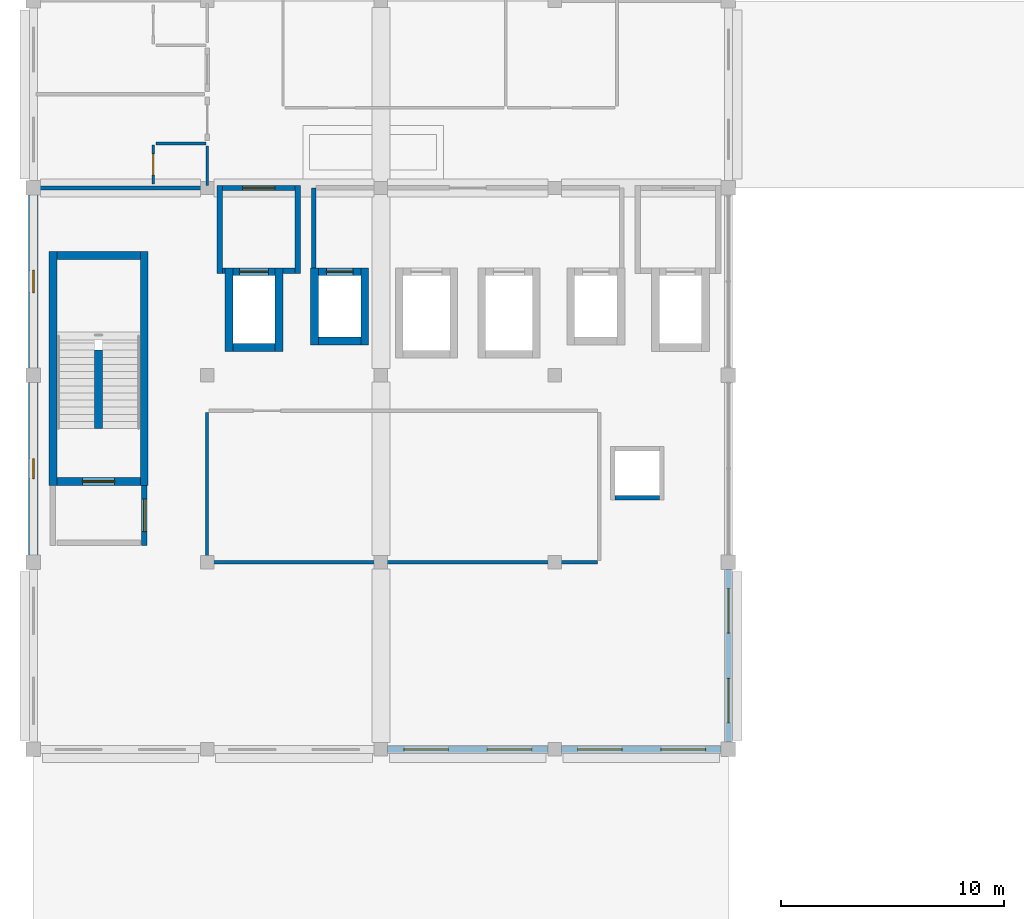
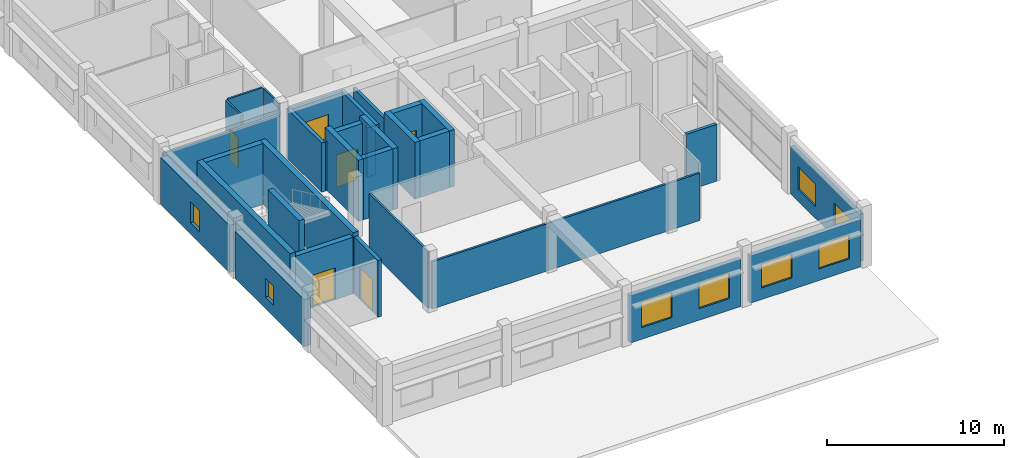
# One storey, part 13 of 32: 32 walls, 8 windows, 6 doors, 14 openings.
"""IFC4 building model written with IfcOpenShell, lengths in metres."""

from ifc_helpers import new_model, si_unit, direction, frame, frame_2d, origin, place, context, subcontext, project, spatial, rectangle, extrude, material, layer, layer_set, type_object, element, fill, save


model = new_model("IFC4")

# Units and contexts
model_context = context("Model", 3, precision=1e-05, world=origin(), true_north=direction((0.0, 1.0)))
body_context = subcontext(model_context, "Body", "Model", "MODEL_VIEW")
ifc_project = project(units=[si_unit("LENGTHUNIT", "METRE"), si_unit("AREAUNIT", "SQUARE_METRE"), si_unit("VOLUMEUNIT", "CUBIC_METRE"), si_unit("PLANEANGLEUNIT", "RADIAN"), si_unit("MASSUNIT", "GRAM", prefix="KILO"), si_unit("THERMODYNAMICTEMPERATUREUNIT", "KELVIN"), si_unit("POWERUNIT", "WATT")], contexts=[model_context])

# Site, building, storey
site_placement = place(None, origin())
site = spatial("IfcSite", under=ifc_project, at=site_placement, CompositionType="ELEMENT")
building_placement = place(site_placement, origin())
building = spatial("IfcBuilding", under=site, at=building_placement, Name="Srebrne Nadtorze General Hospital", CompositionType="ELEMENT")
storey_placement = place(building_placement, frame((0.0, 0.0, 29.699951171875)))
storey = spatial("IfcBuildingStorey", under=building, at=storey_placement, Name="L07", CompositionType="ELEMENT", Elevation=29.699951171875)

# Wall, opening, window
ifc_material_1 = material(Name="Concrete C40/50", Category="concrete")
ifc_layer_1 = layer(ifc_material_1, 0.419921875)
ifc_layer_set_1 = layer_set([ifc_layer_1], Name="Concrete C40/50")
wall_type_1 = type_object("IfcWallType", Name="Acoustic buffer wall 420", PredefinedType="SOLIDWALL", material=ifc_layer_set_1)
wall_1_placement = place(storey_placement, frame((23.39990234375, 33.925048828125, 0.0), z_axis=(0.0, 0.0, 1.0), x_axis=(0.0, 1.0, 0.0)))
wall_1 = element("IfcWall", 1, at=wall_1_placement, inside=storey, type_object=wall_type_1, Name="Exterior wall WL-ENV-L07-0527", PredefinedType="SOLIDWALL", context=body_context, shape_type="SweptSolid", body=[
    extrude(rectangle(XDim=7.75, YDim=0.419921875, at=frame_2d((3.875, 0.0))), origin(), (0.0, 0.0, 1.0), 3.25),
])
opening_1_placement = place(wall_1_placement, frame((3.425048828125, 0.0, 0.800048828125)))
opening_1 = element("IfcOpeningElement", 2, at=opening_1_placement, cuts=wall_1, Name="Opening WN-L07-0886", PredefinedType="OPENING", context=body_context, shape_type="SweptSolid", body=[
    extrude(rectangle(XDim=0.89990234375, YDim=1.300048828125, at=frame_2d((0.449951171875, 0.64990234375))), frame((0.0, 0.221923828125, 0.0), z_axis=(0.0, -1.0, 0.0), x_axis=(1.0, 0.0, 0.0)), (0.0, 0.0, 1.0), 0.44384765625),
])
ifc_material_2 = material(Name="Triple Low-E Glazing", Category="glass")
window_type_1 = type_object("IfcWindowType", Name="Punched clinical window 900x1300", PartitioningType="SINGLE_PANEL", PredefinedType="WINDOW", material=ifc_material_2)
window_1_placement = place(opening_1_placement, origin())
window_1 = element("IfcWindow", 3, at=window_1_placement, inside=storey, type_object=window_type_1, Name="Clinical window WN-L07-0886", OverallHeight=1.300048828125, OverallWidth=0.89990234375, PartitioningType="SINGLE_PANEL", PredefinedType="WINDOW", context=body_context, shape_type="SweptSolid", body=[
    extrude(rectangle(XDim=0.89990234375, YDim=1.300048828125, at=frame_2d((0.449951171875, 0.64990234375))), frame((0.0, 0.030029296875, 0.0), z_axis=(0.0, -1.0, 0.0), x_axis=(1.0, 0.0, 0.0)), (0.0, 0.0, 1.0), 0.06005859375),
])
fill(opening_1, window_1)

wall_2_placement = place(storey_placement, frame((23.39990234375, 42.324951171875, 0.0), z_axis=(0.0, 0.0, 1.0), x_axis=(0.0, 1.0, 0.0)))
wall_2 = element("IfcWall", 4, at=wall_2_placement, inside=storey, type_object=wall_type_1, Name="Exterior wall WL-ENV-L07-0528", PredefinedType="SOLIDWALL", context=body_context, shape_type="SweptSolid", body=[
    extrude(rectangle(XDim=7.75, YDim=0.419921875, at=frame_2d((3.875, 0.0))), origin(), (0.0, 0.0, 1.0), 3.25),
])
opening_2_placement = place(wall_2_placement, frame((3.375, 0.0, 0.800048828125)))
opening_2 = element("IfcOpeningElement", 5, at=opening_2_placement, cuts=wall_2, Name="Opening WN-L07-0887", PredefinedType="OPENING", context=body_context, shape_type="SweptSolid", body=[
    extrude(rectangle(XDim=1.0, YDim=1.449951171875, at=frame_2d((0.5, 0.72509765625))), frame((0.0, 0.221923828125, 0.0), z_axis=(0.0, -1.0, 0.0), x_axis=(1.0, 0.0, 0.0)), (0.0, 0.0, 1.0), 0.44384765625),
])
ifc_material_3 = material(Name="Triple Low-E Glazing", Category="glass")
window_type_2 = type_object("IfcWindowType", Name="Punched clinical window 1000x1450", PartitioningType="SINGLE_PANEL", PredefinedType="WINDOW", material=ifc_material_3)
window_2_placement = place(opening_2_placement, origin())
window_2 = element("IfcWindow", 6, at=window_2_placement, inside=storey, type_object=window_type_2, Name="Clinical window WN-L07-0887", OverallHeight=1.449951171875, OverallWidth=1.0, PartitioningType="SINGLE_PANEL", PredefinedType="WINDOW", context=body_context, shape_type="SweptSolid", body=[
    extrude(rectangle(XDim=1.0, YDim=1.449951171875, at=frame_2d((0.5, 0.72509765625))), frame((0.0, 0.030029296875, 0.0), z_axis=(0.0, -1.0, 0.0), x_axis=(1.0, 0.0, 0.0)), (0.0, 0.0, 1.0), 0.06005859375),
])
fill(opening_2, window_2)

# Walls
ifc_material_4 = material(Name="Gypsum Healthcare Partition")
ifc_layer_2 = layer(ifc_material_4, 0.139892578125)
ifc_layer_set_2 = layer_set([ifc_layer_2], Name="Gypsum Healthcare Partition")
wall_type_2 = type_object("IfcWallType", Name="Clinical partition 140", PredefinedType="PARTITIONING", material=ifc_layer_set_2)
wall_3_placement = place(storey_placement, frame((31.284912109375, 33.60009765625, 0.0), z_axis=(0.0, 0.0, 1.0), x_axis=(1.0, 0.0, 0.0)))
element("IfcWall", 7, at=wall_3_placement, inside=storey, type_object=wall_type_2, Name="Ward Procedure and Day Lounge wall WL-INT-L07-2437", PredefinedType="PARTITIONING", context=body_context, shape_type="SweptSolid", body=[
    extrude(rectangle(XDim=17.43017578125, YDim=0.139892578125, at=frame_2d((8.715087890625, 0.0))), origin(), (0.0, 0.0, 1.0), 3.25),
])
wall_4_placement = place(storey_placement, frame((31.199951171875, 33.68505859375, 0.0), z_axis=(0.0, 0.0, 1.0), x_axis=(0.0, 1.0, 0.0)))
element("IfcWall", 8, at=wall_4_placement, inside=storey, type_object=wall_type_2, Name="Ward Procedure and Day Lounge wall WL-INT-L07-2438", PredefinedType="PARTITIONING", context=body_context, shape_type="SweptSolid", body=[
    extrude(rectangle(XDim=6.6298828125, YDim=0.139892578125, at=frame_2d((3.31494140625, 0.0))), origin(), (0.0, 0.0, 1.0), 3.880126953125),
])
ifc_material_5 = material(Name="Gypsum Healthcare Partition")
ifc_layer_3 = layer(ifc_material_5, 0.159912109375)
ifc_layer_set_3 = layer_set([ifc_layer_3], Name="Gypsum Healthcare Partition")
wall_type_3 = type_object("IfcWallType", Name="Clinical partition 160", PredefinedType="PARTITIONING", material=ifc_layer_set_3)
wall_5_placement = place(storey_placement, frame((23.52001953125, 50.39990234375, 0.0), z_axis=(0.0, 0.0, 1.0), x_axis=(1.0, 0.0, 0.0)))
element("IfcWall", 9, at=wall_5_placement, inside=storey, type_object=wall_type_3, Name="Ward inter-room partition WL-INT-L07-2278", PredefinedType="PARTITIONING", context=body_context, shape_type="SweptSolid", body=[
    extrude(rectangle(XDim=7.56005859375, YDim=0.159912109375, at=frame_2d((3.780029296875, 0.0))), origin(), (0.0, 0.0, 1.0), 3.25),
])
ifc_material_6 = material(Name="Gypsum Healthcare Partition")
ifc_layer_4 = layer(ifc_material_6, 0.199951171875)
ifc_layer_set_4 = layer_set([ifc_layer_4], Name="Gypsum Healthcare Partition")
wall_type_4 = type_object("IfcWallType", Name="Compartment wall 200", PredefinedType="STANDARD", material=ifc_layer_set_4)
wall_6_placement = place(storey_placement, frame((35.97998046875, 46.81005859375, 0.0), z_axis=(0.0, 0.0, 1.0), x_axis=(0.0, 1.0, 0.0)))
element("IfcWall", 10, at=wall_6_placement, inside=storey, type_object=wall_type_4, Name="Lift lobby side wall WL-INT-L07-1156", PredefinedType="STANDARD", context=body_context, shape_type="SweptSolid", body=[
    extrude(rectangle(XDim=3.58984375, YDim=0.199951171875, at=frame_2d((1.794921875, 0.0))), origin(), (0.0, 0.0, 1.0), 3.400146484375),
])
wall_7_placement = place(storey_placement, frame((49.5, 36.5, 0.0), z_axis=(0.0, 0.0, 1.0), x_axis=(1.0, 0.0, 0.0)))
element("IfcWall", 11, at=wall_7_placement, inside=storey, type_object=wall_type_4, Name="MEP riser wall WL-INT-L07-1169", PredefinedType="STANDARD", context=body_context, shape_type="SweptSolid", body=[
    extrude(rectangle(XDim=2.0, YDim=0.199951171875, at=frame_2d((1.0, 0.0))), origin(), (0.0, 0.0, 1.0), 3.900146484375),
])

# Wall, opening, door
ifc_material_7 = material(Name="Gypsum Healthcare Partition")
ifc_layer_5 = layer(ifc_material_7, 0.239990234375)
ifc_layer_set_5 = layer_set([ifc_layer_5], Name="Gypsum Healthcare Partition")
wall_type_5 = type_object("IfcWallType", Name="Corridor fire wall 240", PredefinedType="STANDARD", material=ifc_layer_set_5)
wall_8_placement = place(storey_placement, frame((28.375, 34.35498046875, 0.0), z_axis=(0.0, 0.0, 1.0), x_axis=(0.0, 1.0, 0.0)))
wall_8 = element("IfcWall", 12, at=wall_8_placement, inside=storey, type_object=wall_type_5, Name="Fire lobby wall ST-01 WL-INT-L07-0414", PredefinedType="STANDARD", context=body_context, shape_type="SweptSolid", body=[
    extrude(rectangle(XDim=2.695068359375, YDim=0.239990234375, at=frame_2d((1.34765625, 0.0))), origin(), (0.0, 0.0, 1.0), 3.900146484375),
])
opening_3_placement = place(wall_8_placement, frame((0.62255859375, 0.0, 0.0)))
opening_3 = element("IfcOpeningElement", 13, at=opening_3_placement, cuts=wall_8, Name="Opening D-L07-0104", PredefinedType="OPENING", context=body_context, shape_type="SweptSolid", body=[
    extrude(rectangle(XDim=1.449951171875, YDim=2.199951171875, at=frame_2d((0.72509765625, 1.10009765625))), frame((0.0, 0.1318359375, 0.0), z_axis=(0.0, -1.0, 0.0), x_axis=(1.0, 0.0, 0.0)), (0.0, 0.0, 1.0), 0.263916015625),
])
ifc_material_8 = material(Name="Anodised Aluminium", Category="aluminium")
door_type_1 = type_object("IfcDoorType", Name="Double leaf door 1450x2200", OperationType="DOUBLE_DOOR_SINGLE_SWING", PredefinedType="DOOR", material=ifc_material_8)
door_1_placement = place(opening_3_placement, origin())
door_1 = element("IfcDoor", 14, at=door_1_placement, inside=storey, type_object=door_type_1, Name="Fire lobby door ST-01 D-L07-0104", OperationType="DOUBLE_DOOR_SINGLE_SWING", OverallHeight=2.199951171875, OverallWidth=1.449951171875, PredefinedType="DOOR", context=body_context, shape_type="SweptSolid", body=[
    extrude(rectangle(XDim=1.449951171875, YDim=2.199951171875, at=frame_2d((0.72509765625, 1.10009765625))), frame((0.0, 0.02490234375, 0.0), z_axis=(0.0, -1.0, 0.0), x_axis=(1.0, 0.0, 0.0)), (0.0, 0.0, 1.0), 0.050048828125),
])
fill(opening_3, door_1)

# Walls
for number, where, z_axis, x_axis, name in (
    (15, (31.760009765625, 46.570068359375, 0.0), (0.0, 0.0, 1.0), (0.0, 1.0, 0.0), "FF lift lobby wall WL-INT-L07-1146"),
    (16, (35.27001953125, 46.570068359375, 0.0), (0.0, 0.0, 1.0), (0.0, 1.0, 0.0), "FF lift lobby wall WL-INT-L07-1147"),
):
    element("IfcWall", number, at=place(storey_placement, frame(where, z_axis=z_axis, x_axis=x_axis)), inside=storey, type_object=wall_type_5, Name=name, PredefinedType="STANDARD", context=body_context, shape_type="SweptSolid", body=[
        extrude(rectangle(XDim=3.949951171875, YDim=0.239990234375, at=frame_2d((1.97509765625, 0.0))), origin(), (0.0, 0.0, 1.0), 3.400146484375),
    ])
wall_9_placement = place(storey_placement, frame((31.8798828125, 46.68994140625, 0.0), z_axis=(0.0, 0.0, 1.0), x_axis=(1.0, 0.0, 0.0)))
element("IfcWall", 17, at=wall_9_placement, inside=storey, type_object=wall_type_5, Name="FF lift lobby return wall WL-INT-L07-1148", PredefinedType="STANDARD", context=body_context, shape_type="SweptSolid", body=[
    extrude(rectangle(XDim=0.1201171875, YDim=0.239990234375, at=frame_2d((0.06005859375, 0.0))), origin(), (0.0, 0.0, 1.0), 3.400146484375),
])
wall_10_placement = place(storey_placement, frame((34.60009765625, 46.68994140625, 0.0), z_axis=(0.0, 0.0, 1.0), x_axis=(1.0, 0.0, 0.0)))
element("IfcWall", 18, at=wall_10_placement, inside=storey, type_object=wall_type_5, Name="FF lift lobby return wall WL-INT-L07-1149", PredefinedType="STANDARD", context=body_context, shape_type="SweptSolid", body=[
    extrude(rectangle(XDim=0.5498046875, YDim=0.239990234375, at=frame_2d((0.27490234375, 0.0))), origin(), (0.0, 0.0, 1.0), 3.400146484375),
])

# Wall, opening, door
wall_11_placement = place(storey_placement, frame((31.8798828125, 50.39990234375, 0.0), z_axis=(0.0, 0.0, 1.0), x_axis=(1.0, 0.0, 0.0)))
wall_11 = element("IfcWall", 19, at=wall_11_placement, inside=storey, type_object=wall_type_5, Name="FF lift lobby front wall WL-INT-L07-1150", PredefinedType="STANDARD", context=body_context, shape_type="SweptSolid", body=[
    extrude(rectangle(XDim=3.27001953125, YDim=0.239990234375, at=frame_2d((1.635009765625, 0.0))), origin(), (0.0, 0.0, 1.0), 3.400146484375),
])
opening_4_placement = place(wall_11_placement, frame((0.909912109375, 0.0, 0.0)))
opening_4 = element("IfcOpeningElement", 20, at=opening_4_placement, cuts=wall_11, Name="Opening D-L07-0157", PredefinedType="OPENING", context=body_context, shape_type="SweptSolid", body=[
    extrude(rectangle(XDim=1.449951171875, YDim=2.199951171875, at=frame_2d((0.72509765625, 1.10009765625))), frame((0.0, 0.1318359375, 0.0), z_axis=(0.0, -1.0, 0.0), x_axis=(1.0, 0.0, 0.0)), (0.0, 0.0, 1.0), 0.263916015625),
])
door_2_placement = place(opening_4_placement, origin())
door_2 = element("IfcDoor", 21, at=door_2_placement, inside=storey, type_object=door_type_1, Name="Firefighting lift lobby door D-L07-0157", OperationType="DOUBLE_DOOR_SINGLE_SWING", OverallHeight=2.199951171875, OverallWidth=1.449951171875, PredefinedType="DOOR", context=body_context, shape_type="SweptSolid", body=[
    extrude(rectangle(XDim=1.449951171875, YDim=2.199951171875, at=frame_2d((0.72509765625, 1.10009765625))), frame((0.0, 0.02490234375, 0.0), z_axis=(0.0, -1.0, 0.0), x_axis=(1.0, 0.0, 0.0)), (0.0, 0.0, 1.0), 0.050048828125),
])
fill(opening_4, door_2)

# Walls
ifc_material_9 = material(Name="Gypsum Healthcare Partition")
ifc_layer_6 = layer(ifc_material_9, 0.1201171875)
ifc_layer_set_6 = layer_set([ifc_layer_6], Name="Gypsum Healthcare Partition")
wall_type_6 = type_object("IfcWallType", Name="En-suite partition 120", PredefinedType="PARTITIONING", material=ifc_layer_set_6)
wall_12_placement = place(storey_placement, frame((31.199951171875, 50.52001953125, 0.0), z_axis=(0.0, 0.0, 1.0), x_axis=(0.0, 1.0, 0.0)))
element("IfcWall", 22, at=wall_12_placement, inside=storey, type_object=wall_type_6, Name="En-suite corridor wall WL-INT-L07-2281", PredefinedType="PARTITIONING", context=body_context, shape_type="SweptSolid", body=[
    extrude(rectangle(XDim=1.760009765625, YDim=0.1201171875, at=frame_2d((0.8798828125, 0.0))), origin(), (0.0, 0.0, 1.0), 3.880126953125),
])
wall_13_placement = place(storey_placement, frame((28.89990234375, 52.39990234375, 0.0), z_axis=(0.0, 0.0, 1.0), x_axis=(1.0, 0.0, 0.0)))
element("IfcWall", 23, at=wall_13_placement, inside=storey, type_object=wall_type_6, Name="En-suite wet wall WL-INT-L07-2282", PredefinedType="PARTITIONING", context=body_context, shape_type="SweptSolid", body=[
    extrude(rectangle(XDim=2.239990234375, YDim=0.1201171875, at=frame_2d((1.1201171875, 0.0))), origin(), (0.0, 0.0, 1.0), 3.880126953125),
])

# Wall, opening, door
wall_14_placement = place(storey_placement, frame((28.780029296875, 50.580078125, 0.0), z_axis=(0.0, 0.0, 1.0), x_axis=(0.0, 1.0, 0.0)))
wall_14 = element("IfcWall", 24, at=wall_14_placement, inside=storey, type_object=wall_type_6, Name="En-suite wet wall WL-INT-L07-2283", PredefinedType="PARTITIONING", context=body_context, shape_type="SweptSolid", body=[
    extrude(rectangle(XDim=1.760009765625, YDim=0.1201171875, at=frame_2d((0.8798828125, 0.0))), origin(), (0.0, 0.0, 1.0), 3.880126953125),
])
opening_5_placement = place(wall_14_placement, frame((0.405029296875, 0.0, 0.0)))
opening_5 = element("IfcOpeningElement", 25, at=opening_5_placement, cuts=wall_14, Name="Opening D-L07-0502", PredefinedType="OPENING", context=body_context, shape_type="SweptSolid", body=[
    extrude(rectangle(XDim=0.949951171875, YDim=2.10009765625, at=frame_2d((0.47509765625, 1.050048828125))), frame((0.0, 0.072021484375, 0.0), z_axis=(0.0, -1.0, 0.0), x_axis=(1.0, 0.0, 0.0)), (0.0, 0.0, 1.0), 0.14404296875),
])
ifc_material_10 = material(Name="Anodised Aluminium", Category="aluminium")
door_type_2 = type_object("IfcDoorType", Name="Single leaf door 950x2100", OperationType="NOTDEFINED", PredefinedType="DOOR", material=ifc_material_10)
door_3_placement = place(opening_5_placement, frame((0.949951171875, 0.0, 0.0), z_axis=(0.0, 0.0, 1.0), x_axis=(-1.0, 0.0, 0.0)))
door_3 = element("IfcDoor", 26, at=door_3_placement, inside=storey, type_object=door_type_2, Name="En-suite bathroom door D-L07-0502", OperationType="SINGLE_SWING_LEFT", OverallHeight=2.10009765625, OverallWidth=0.949951171875, PredefinedType="DOOR", context=body_context, shape_type="SweptSolid", body=[
    extrude(rectangle(XDim=0.949951171875, YDim=2.10009765625, at=frame_2d((0.47509765625, 1.050048828125))), frame((0.0, 0.02490234375, 0.0), z_axis=(0.0, -1.0, 0.0), x_axis=(1.0, 0.0, 0.0)), (0.0, 0.0, 1.0), 0.050048828125),
])
fill(opening_5, door_3)

# Walls
ifc_material_11 = material(Name="Concrete C40/50", Category="concrete")
ifc_layer_7 = layer(ifc_material_11, 0.35009765625)
ifc_layer_set_7 = layer_set([ifc_layer_7], Name="Concrete C40/50")
wall_type_7 = type_object("IfcWallType", Name="Shear core wall 350", PredefinedType="SHEAR", material=ifc_layer_set_7)
for number, where, z_axis, x_axis, name in (
    (27, (24.27490234375, 37.050048828125, 0.0), (0.0, 0.0, 1.0), (0.0, 1.0, 0.0), "Stair core wall ST-01 WL-INT-L07-0409"),
    (28, (28.375, 37.050048828125, 0.0), (0.0, 0.0, 1.0), (0.0, 1.0, 0.0), "Stair core wall ST-01 WL-INT-L07-0410"),
):
    element("IfcWall", number, at=place(storey_placement, frame(where, z_axis=z_axis, x_axis=x_axis)), inside=storey, type_object=wall_type_7, Name=name, PredefinedType="SHEAR", context=body_context, shape_type="SweptSolid", body=[
        extrude(rectangle(XDim=10.5, YDim=0.35009765625, at=frame_2d((5.25, 0.0))), origin(), (0.0, 0.0, 1.0), 4.199951171875),
    ])
wall_15_placement = place(storey_placement, frame((24.449951171875, 47.375, 0.0), z_axis=(0.0, 0.0, 1.0), x_axis=(1.0, 0.0, 0.0)))
element("IfcWall", 29, at=wall_15_placement, inside=storey, type_object=wall_type_7, Name="Stair core wall ST-01 WL-INT-L07-0411", PredefinedType="SHEAR", context=body_context, shape_type="SweptSolid", body=[
    extrude(rectangle(XDim=3.75, YDim=0.35009765625, at=frame_2d((1.875, 0.0))), origin(), (0.0, 0.0, 1.0), 4.199951171875),
])

# Wall, opening, door
wall_16_placement = place(storey_placement, frame((24.449951171875, 37.22509765625, 0.0), z_axis=(0.0, 0.0, 1.0), x_axis=(1.0, 0.0, 0.0)))
wall_16 = element("IfcWall", 30, at=wall_16_placement, inside=storey, type_object=wall_type_7, Name="Stairwell fire wall ST-01 WL-INT-L07-0412", PredefinedType="SHEAR", context=body_context, shape_type="SweptSolid", body=[
    extrude(rectangle(XDim=3.75, YDim=0.35009765625, at=frame_2d((1.875, 0.0))), origin(), (0.0, 0.0, 1.0), 3.900146484375),
])
opening_6_placement = place(wall_16_placement, frame((1.14990234375, 0.0, 0.0)))
opening_6 = element("IfcOpeningElement", 31, at=opening_6_placement, cuts=wall_16, Name="Opening D-L07-0103", PredefinedType="OPENING", context=body_context, shape_type="SweptSolid", body=[
    extrude(rectangle(XDim=1.449951171875, YDim=2.199951171875, at=frame_2d((0.72509765625, 1.10009765625))), frame((0.0, 0.18701171875, 0.0), z_axis=(0.0, -1.0, 0.0), x_axis=(1.0, 0.0, 0.0)), (0.0, 0.0, 1.0), 0.3740234375),
])
door_4_placement = place(opening_6_placement, origin())
door_4 = element("IfcDoor", 32, at=door_4_placement, inside=storey, type_object=door_type_1, Name="Protected stair door ST-01 D-L07-0103", OperationType="DOUBLE_DOOR_SINGLE_SWING", OverallHeight=2.199951171875, OverallWidth=1.449951171875, PredefinedType="DOOR", context=body_context, shape_type="SweptSolid", body=[
    extrude(rectangle(XDim=1.449951171875, YDim=2.199951171875, at=frame_2d((0.72509765625, 1.10009765625))), frame((0.0, 0.02490234375, 0.0), z_axis=(0.0, -1.0, 0.0), x_axis=(1.0, 0.0, 0.0)), (0.0, 0.0, 1.0), 0.050048828125),
])
fill(opening_6, door_4)

# Walls
wall_17_placement = place(storey_placement, frame((26.324951171875, 39.60009765625, 0.0), z_axis=(0.0, 0.0, 1.0), x_axis=(0.0, 1.0, 0.0)))
element("IfcWall", 33, at=wall_17_placement, inside=storey, type_object=wall_type_7, Name="Stair spine wall ST-01 WL-INT-L07-0416", PredefinedType="SHEAR", context=body_context, shape_type="SweptSolid", body=[
    extrude(rectangle(XDim=3.52001953125, YDim=0.35009765625, at=frame_2d((1.760009765625, 0.0))), origin(), (0.0, 0.0, 1.0), 4.199951171875),
])
for number, where, z_axis, x_axis, name in (
    (34, (32.175048828125, 43.06005859375, 0.0), (0.0, 0.0, 1.0), (0.0, 1.0, 0.0), "Lift shaft wall FL-01 WL-INT-L07-0498"),
    (35, (34.425048828125, 43.06005859375, 0.0), (0.0, 0.0, 1.0), (0.0, 1.0, 0.0), "Lift shaft wall FL-01 WL-INT-L07-0499"),
):
    element("IfcWall", number, at=place(storey_placement, frame(where, z_axis=z_axis, x_axis=x_axis)), inside=storey, type_object=wall_type_7, Name=name, PredefinedType="SHEAR", context=body_context, shape_type="SweptSolid", body=[
        extrude(rectangle(XDim=3.75, YDim=0.35009765625, at=frame_2d((1.875, 0.0))), origin(), (0.0, 0.0, 1.0), 4.199951171875),
    ])
wall_18_placement = place(storey_placement, frame((32.35009765625, 43.235107421875, 0.0), z_axis=(0.0, 0.0, 1.0), x_axis=(1.0, 0.0, 0.0)))
element("IfcWall", 36, at=wall_18_placement, inside=storey, type_object=wall_type_7, Name="Lift shaft back wall FL-01 WL-INT-L07-0500", PredefinedType="SHEAR", context=body_context, shape_type="SweptSolid", body=[
    extrude(rectangle(XDim=1.89990234375, YDim=0.35009765625, at=frame_2d((0.949951171875, 0.0))), origin(), (0.0, 0.0, 1.0), 4.199951171875),
])

# Wall, opening, door
wall_19_placement = place(storey_placement, frame((32.35009765625, 46.635009765625, 0.0), z_axis=(0.0, 0.0, 1.0), x_axis=(1.0, 0.0, 0.0)))
wall_19 = element("IfcWall", 37, at=wall_19_placement, inside=storey, type_object=wall_type_7, Name="Lift shaft front wall FL-01 WL-INT-L07-0501", PredefinedType="SHEAR", context=body_context, shape_type="SweptSolid", body=[
    extrude(rectangle(XDim=1.89990234375, YDim=0.35009765625, at=frame_2d((0.949951171875, 0.0))), origin(), (0.0, 0.0, 1.0), 3.900146484375),
])
opening_7_placement = place(wall_19_placement, frame((0.300048828125, 0.0, 0.0)))
opening_7 = element("IfcOpeningElement", 38, at=opening_7_placement, cuts=wall_19, Name="Opening LD-L07-009", PredefinedType="OPENING", context=body_context, shape_type="SweptSolid", body=[
    extrude(rectangle(XDim=1.300048828125, YDim=2.199951171875, at=frame_2d((0.64990234375, 1.10009765625))), frame((0.0, 0.18701171875, 0.0), z_axis=(0.0, -1.0, 0.0), x_axis=(1.0, 0.0, 0.0)), (0.0, 0.0, 1.0), 0.3740234375),
])
ifc_material_12 = material(Name="Anodised Aluminium", Category="aluminium")
door_type_3 = type_object("IfcDoorType", Name="Sliding lift door 1300x2200", OperationType="SLIDING_TO_LEFT", PredefinedType="DOOR", material=ifc_material_12)
door_5_placement = place(opening_7_placement, origin())
door_5 = element("IfcDoor", 39, at=door_5_placement, inside=storey, type_object=door_type_3, Name="Lift Landing Door LD-L07-009", OperationType="SLIDING_TO_LEFT", OverallHeight=2.199951171875, OverallWidth=1.300048828125, PredefinedType="DOOR", context=body_context, shape_type="SweptSolid", body=[
    extrude(rectangle(XDim=1.300048828125, YDim=2.199951171875, at=frame_2d((0.64990234375, 1.10009765625))), frame((0.0, 0.02490234375, 0.0), z_axis=(0.0, -1.0, 0.0), x_axis=(1.0, 0.0, 0.0)), (0.0, 0.0, 1.0), 0.050048828125),
])
fill(opening_7, door_5)

# Walls
for number, where, z_axis, x_axis, name in (
    (40, (36.02490234375, 43.360107421875, 0.0), (0.0, 0.0, 1.0), (0.0, 1.0, 0.0), "Lift shaft wall LP-01 WL-INT-L07-0538"),
    (41, (38.27490234375, 43.360107421875, 0.0), (0.0, 0.0, 1.0), (0.0, 1.0, 0.0), "Lift shaft wall LP-01 WL-INT-L07-0539"),
):
    element("IfcWall", number, at=place(storey_placement, frame(where, z_axis=z_axis, x_axis=x_axis)), inside=storey, type_object=wall_type_7, Name=name, PredefinedType="SHEAR", context=body_context, shape_type="SweptSolid", body=[
        extrude(rectangle(XDim=3.449951171875, YDim=0.35009765625, at=frame_2d((1.72509765625, 0.0))), origin(), (0.0, 0.0, 1.0), 3.900146484375),
    ])
wall_20_placement = place(storey_placement, frame((36.199951171875, 43.534912109375, 0.0), z_axis=(0.0, 0.0, 1.0), x_axis=(1.0, 0.0, 0.0)))
element("IfcWall", 42, at=wall_20_placement, inside=storey, type_object=wall_type_7, Name="Lift shaft back wall LP-01 WL-INT-L07-0540", PredefinedType="SHEAR", context=body_context, shape_type="SweptSolid", body=[
    extrude(rectangle(XDim=1.900146484375, YDim=0.35009765625, at=frame_2d((0.9501953125, 0.0))), origin(), (0.0, 0.0, 1.0), 3.900146484375),
])

# Wall, opening, door
wall_21_placement = place(storey_placement, frame((36.199951171875, 46.635009765625, 0.0), z_axis=(0.0, 0.0, 1.0), x_axis=(1.0, 0.0, 0.0)))
wall_21 = element("IfcWall", 43, at=wall_21_placement, inside=storey, type_object=wall_type_7, Name="Lift shaft front wall LP-01 WL-INT-L07-0541", PredefinedType="SHEAR", context=body_context, shape_type="SweptSolid", body=[
    extrude(rectangle(XDim=1.900146484375, YDim=0.35009765625, at=frame_2d((0.9501953125, 0.0))), origin(), (0.0, 0.0, 1.0), 3.900146484375),
])
opening_8_placement = place(wall_21_placement, frame((0.35009765625, 0.0, 0.0)))
opening_8 = element("IfcOpeningElement", 44, at=opening_8_placement, cuts=wall_21, Name="Opening LD-L07-019", PredefinedType="OPENING", context=body_context, shape_type="SweptSolid", body=[
    extrude(rectangle(XDim=1.199951171875, YDim=2.199951171875, at=frame_2d((0.60009765625, 1.10009765625))), frame((0.0, 0.18701171875, 0.0), z_axis=(0.0, -1.0, 0.0), x_axis=(1.0, 0.0, 0.0)), (0.0, 0.0, 1.0), 0.3740234375),
])
ifc_material_13 = material(Name="Anodised Aluminium", Category="aluminium")
door_type_4 = type_object("IfcDoorType", Name="Sliding lift door 1200x2200", OperationType="SLIDING_TO_LEFT", PredefinedType="DOOR", material=ifc_material_13)
door_6_placement = place(opening_8_placement, origin())
door_6 = element("IfcDoor", 45, at=door_6_placement, inside=storey, type_object=door_type_4, Name="Lift Landing Door LD-L07-019", OperationType="SLIDING_TO_LEFT", OverallHeight=2.199951171875, OverallWidth=1.199951171875, PredefinedType="DOOR", context=body_context, shape_type="SweptSolid", body=[
    extrude(rectangle(XDim=1.199951171875, YDim=2.199951171875, at=frame_2d((0.60009765625, 1.10009765625))), frame((0.0, 0.02490234375, 0.0), z_axis=(0.0, -1.0, 0.0), x_axis=(1.0, 0.0, 0.0)), (0.0, 0.0, 1.0), 0.050048828125),
])
fill(opening_8, door_6)

# Wall, openings, windows
ifc_material_14 = material(Name="Concrete C35/45 precast", Category="concrete")
ifc_layer_8 = layer(ifc_material_14, 0.280029296875)
ifc_layer_set_8 = layer_set([ifc_layer_8], Name="Concrete C35/45 precast")
wall_type_8 = type_object("IfcWallType", Name="Spandrel wall 280", PredefinedType="STANDARD", material=ifc_layer_set_8)
wall_22_placement = place(storey_placement, frame((39.300048828125, 25.199951171875, 0.0), z_axis=(0.0, 0.0, 1.0), x_axis=(1.0, 0.0, 0.0)))
wall_22 = element("IfcWall", 46, at=wall_22_placement, inside=storey, type_object=wall_type_8, Name="Exterior wall WL-ENV-L07-0508", PredefinedType="STANDARD", context=body_context, shape_type="SweptSolid", body=[
    extrude(rectangle(XDim=7.199951171875, YDim=0.280029296875, at=frame_2d((3.60009765625, 0.0))), origin(), (0.0, 0.0, 1.0), 3.25),
])
opening_9_placement = place(wall_22_placement, frame((0.72802734375, 0.0, 0.800048828125)))
opening_9 = element("IfcOpeningElement", 47, at=opening_9_placement, cuts=wall_22, Name="Opening WN-L07-0844", PredefinedType="OPENING", context=body_context, shape_type="SweptSolid", body=[
    extrude(rectangle(XDim=2.0, YDim=1.75, at=frame_2d((1.0, 0.875))), frame((0.0, 0.15185546875, 0.0), z_axis=(0.0, -1.0, 0.0), x_axis=(1.0, 0.0, 0.0)), (0.0, 0.0, 1.0), 0.303955078125),
])
opening_10_placement = place(wall_22_placement, frame((4.471923828125, 0.0, 0.800048828125)))
opening_10 = element("IfcOpeningElement", 48, at=opening_10_placement, cuts=wall_22, Name="Opening WN-L07-0845", PredefinedType="OPENING", context=body_context, shape_type="SweptSolid", body=[
    extrude(rectangle(XDim=2.0, YDim=1.75, at=frame_2d((1.0, 0.875))), frame((0.0, 0.15185546875, 0.0), z_axis=(0.0, -1.0, 0.0), x_axis=(1.0, 0.0, 0.0)), (0.0, 0.0, 1.0), 0.303955078125),
])
ifc_material_15 = material(Name="Triple Low-E Glazing", Category="glass")
window_type_3 = type_object("IfcWindowType", Name="Punched clinical window 2000x1750", PartitioningType="DOUBLE_PANEL_VERTICAL", PredefinedType="WINDOW", material=ifc_material_15)
window_3_placement = place(opening_9_placement, origin())
window_3 = element("IfcWindow", 49, at=window_3_placement, inside=storey, type_object=window_type_3, Name="Clinical window WN-L07-0844", OverallHeight=1.75, OverallWidth=2.0, PartitioningType="DOUBLE_PANEL_VERTICAL", PredefinedType="WINDOW", context=body_context, shape_type="SweptSolid", body=[
    extrude(rectangle(XDim=2.0, YDim=1.75, at=frame_2d((1.0, 0.875))), frame((0.0, 0.030029296875, 0.0), z_axis=(0.0, -1.0, 0.0), x_axis=(1.0, 0.0, 0.0)), (0.0, 0.0, 1.0), 0.06005859375),
])
fill(opening_9, window_3)
window_4_placement = place(opening_10_placement, origin())
window_4 = element("IfcWindow", 50, at=window_4_placement, inside=storey, type_object=window_type_3, Name="Clinical window WN-L07-0845", OverallHeight=1.75, OverallWidth=2.0, PartitioningType="DOUBLE_PANEL_VERTICAL", PredefinedType="WINDOW", context=body_context, shape_type="SweptSolid", body=[
    extrude(rectangle(XDim=2.0, YDim=1.75, at=frame_2d((1.0, 0.875))), frame((0.0, 0.030029296875, 0.0), z_axis=(0.0, -1.0, 0.0), x_axis=(1.0, 0.0, 0.0)), (0.0, 0.0, 1.0), 0.06005859375),
])
fill(opening_10, window_4)

wall_23_placement = place(storey_placement, frame((47.10009765625, 25.199951171875, 0.0), z_axis=(0.0, 0.0, 1.0), x_axis=(1.0, 0.0, 0.0)))
wall_23 = element("IfcWall", 51, at=wall_23_placement, inside=storey, type_object=wall_type_8, Name="Exterior wall WL-ENV-L07-0509", PredefinedType="STANDARD", context=body_context, shape_type="SweptSolid", body=[
    extrude(rectangle(XDim=7.1748046875, YDim=0.280029296875, at=frame_2d((3.58740234375, 0.0))), origin(), (0.0, 0.0, 1.0), 3.25),
])
opening_11_placement = place(wall_23_placement, frame((0.72802734375, 0.0, 0.800048828125)))
opening_11 = element("IfcOpeningElement", 52, at=opening_11_placement, cuts=wall_23, Name="Opening WN-L07-0846", PredefinedType="OPENING", context=body_context, shape_type="SweptSolid", body=[
    extrude(rectangle(XDim=2.0, YDim=1.64990234375, at=frame_2d((1.0, 0.824951171875))), frame((0.0, 0.15185546875, 0.0), z_axis=(0.0, -1.0, 0.0), x_axis=(1.0, 0.0, 0.0)), (0.0, 0.0, 1.0), 0.303955078125),
])
opening_12_placement = place(wall_23_placement, frame((4.471923828125, 0.0, 0.800048828125)))
opening_12 = element("IfcOpeningElement", 53, at=opening_12_placement, cuts=wall_23, Name="Opening WN-L07-0847", PredefinedType="OPENING", context=body_context, shape_type="SweptSolid", body=[
    extrude(rectangle(XDim=2.0, YDim=1.64990234375, at=frame_2d((1.0, 0.824951171875))), frame((0.0, 0.15185546875, 0.0), z_axis=(0.0, -1.0, 0.0), x_axis=(1.0, 0.0, 0.0)), (0.0, 0.0, 1.0), 0.303955078125),
])
ifc_material_16 = material(Name="Triple Low-E Glazing", Category="glass")
window_type_4 = type_object("IfcWindowType", Name="Punched clinical window 2000x1650", PartitioningType="DOUBLE_PANEL_VERTICAL", PredefinedType="WINDOW", material=ifc_material_16)
window_5_placement = place(opening_11_placement, origin())
window_5 = element("IfcWindow", 54, at=window_5_placement, inside=storey, type_object=window_type_4, Name="Clinical window WN-L07-0846", OverallHeight=1.64990234375, OverallWidth=2.0, PartitioningType="DOUBLE_PANEL_VERTICAL", PredefinedType="WINDOW", context=body_context, shape_type="SweptSolid", body=[
    extrude(rectangle(XDim=2.0, YDim=1.64990234375, at=frame_2d((1.0, 0.824951171875))), frame((0.0, 0.030029296875, 0.0), z_axis=(0.0, -1.0, 0.0), x_axis=(1.0, 0.0, 0.0)), (0.0, 0.0, 1.0), 0.06005859375),
])
fill(opening_11, window_5)
window_6_placement = place(opening_12_placement, origin())
window_6 = element("IfcWindow", 55, at=window_6_placement, inside=storey, type_object=window_type_4, Name="Clinical window WN-L07-0847", OverallHeight=1.64990234375, OverallWidth=2.0, PartitioningType="DOUBLE_PANEL_VERTICAL", PredefinedType="WINDOW", context=body_context, shape_type="SweptSolid", body=[
    extrude(rectangle(XDim=2.0, YDim=1.64990234375, at=frame_2d((1.0, 0.824951171875))), frame((0.0, 0.030029296875, 0.0), z_axis=(0.0, -1.0, 0.0), x_axis=(1.0, 0.0, 0.0)), (0.0, 0.0, 1.0), 0.06005859375),
])
fill(opening_12, window_6)

wall_24_placement = place(storey_placement, frame((54.60009765625, 25.52490234375, 0.0), z_axis=(0.0, 0.0, 1.0), x_axis=(0.0, 1.0, 0.0)))
wall_24 = element("IfcWall", 56, at=wall_24_placement, inside=storey, type_object=wall_type_8, Name="Exterior wall WL-ENV-L07-0534", PredefinedType="STANDARD", context=body_context, shape_type="SweptSolid", body=[
    extrude(rectangle(XDim=7.75, YDim=0.280029296875, at=frame_2d((3.875, 0.0))), origin(), (0.0, 0.0, 1.0), 3.25),
])
opening_13_placement = place(wall_24_placement, frame((0.85888671875, 0.0, 0.800048828125)))
opening_13 = element("IfcOpeningElement", 57, at=opening_13_placement, cuts=wall_24, Name="Opening WN-L07-0896", PredefinedType="OPENING", context=body_context, shape_type="SweptSolid", body=[
    extrude(rectangle(XDim=2.0, YDim=1.550048828125, at=frame_2d((1.0, 0.77490234375))), frame((0.0, 0.15185546875, 0.0), z_axis=(0.0, -1.0, 0.0), x_axis=(1.0, 0.0, 0.0)), (0.0, 0.0, 1.0), 0.303955078125),
])
opening_14_placement = place(wall_24_placement, frame((4.89111328125, 0.0, 0.800048828125)))
opening_14 = element("IfcOpeningElement", 58, at=opening_14_placement, cuts=wall_24, Name="Opening WN-L07-0897", PredefinedType="OPENING", context=body_context, shape_type="SweptSolid", body=[
    extrude(rectangle(XDim=2.0, YDim=1.550048828125, at=frame_2d((1.0, 0.77490234375))), frame((0.0, 0.15185546875, 0.0), z_axis=(0.0, -1.0, 0.0), x_axis=(1.0, 0.0, 0.0)), (0.0, 0.0, 1.0), 0.303955078125),
])
ifc_material_17 = material(Name="Triple Low-E Glazing", Category="glass")
window_type_5 = type_object("IfcWindowType", Name="Punched clinical window 2000x1550", PartitioningType="DOUBLE_PANEL_VERTICAL", PredefinedType="WINDOW", material=ifc_material_17)
window_7_placement = place(opening_13_placement, origin())
window_7 = element("IfcWindow", 59, at=window_7_placement, inside=storey, type_object=window_type_5, Name="Clinical window WN-L07-0896", OverallHeight=1.550048828125, OverallWidth=2.0, PartitioningType="DOUBLE_PANEL_VERTICAL", PredefinedType="WINDOW", context=body_context, shape_type="SweptSolid", body=[
    extrude(rectangle(XDim=2.0, YDim=1.550048828125, at=frame_2d((1.0, 0.77490234375))), frame((0.0, 0.030029296875, 0.0), z_axis=(0.0, -1.0, 0.0), x_axis=(1.0, 0.0, 0.0)), (0.0, 0.0, 1.0), 0.06005859375),
])
fill(opening_13, window_7)
window_8_placement = place(opening_14_placement, origin())
window_8 = element("IfcWindow", 60, at=window_8_placement, inside=storey, type_object=window_type_5, Name="Clinical window WN-L07-0897", OverallHeight=1.550048828125, OverallWidth=2.0, PartitioningType="DOUBLE_PANEL_VERTICAL", PredefinedType="WINDOW", context=body_context, shape_type="SweptSolid", body=[
    extrude(rectangle(XDim=2.0, YDim=1.550048828125, at=frame_2d((1.0, 0.77490234375))), frame((0.0, 0.030029296875, 0.0), z_axis=(0.0, -1.0, 0.0), x_axis=(1.0, 0.0, 0.0)), (0.0, 0.0, 1.0), 0.06005859375),
])
fill(opening_14, window_8)

save(model, "model.ifc")
